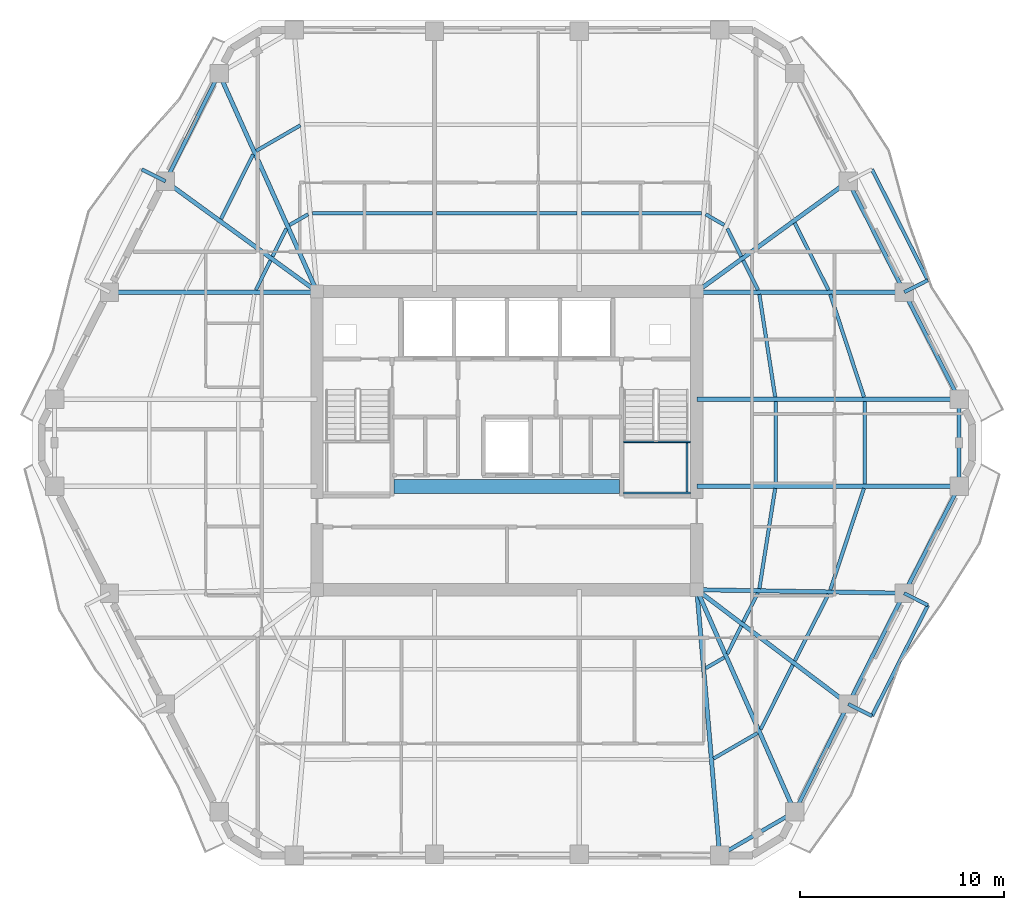
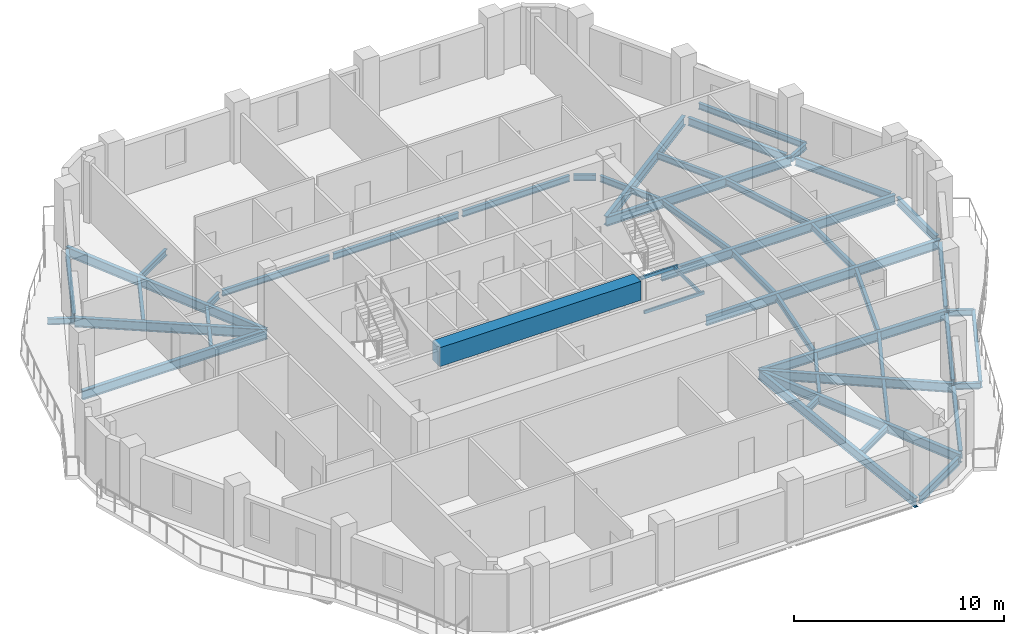
# One storey, part 2 of 12: 53 beams.
"""IFC4 building model written with IfcOpenShell, lengths in metres."""

from ifc_helpers import new_model, si_unit, direction, frame, origin, origin_2d, place, context, subcontext, project, spatial, rectangle, hollow_rectangle, i_section, extrude, material, material_profile, profile_set, type_object, element, save


model = new_model("IFC4")

# Units and contexts
model_context = context("Model", 3, precision=1e-05, world=origin(), true_north=direction((0.0, 1.0)))
body_context = subcontext(model_context, "Body", "Model", "MODEL_VIEW")
ifc_project = project(units=[si_unit("LENGTHUNIT", "METRE"), si_unit("AREAUNIT", "SQUARE_METRE"), si_unit("VOLUMEUNIT", "CUBIC_METRE"), si_unit("PLANEANGLEUNIT", "RADIAN"), si_unit("MASSUNIT", "GRAM", prefix="KILO")], contexts=[model_context])

# Site, building, storey
site_placement = place(None, origin())
site = spatial("IfcSite", under=ifc_project, at=site_placement, CompositionType="ELEMENT")
building_placement = place(site_placement, origin())
building = spatial("IfcBuilding", under=site, at=building_placement, Name="Cinnabar Lancet Tower", CompositionType="ELEMENT")
storey_placement = place(building_placement, frame((0.0, 0.0, 193.199951171875)))
storey = spatial("IfcBuildingStorey", under=building, at=storey_placement, Name="L51", CompositionType="ELEMENT", Elevation=193.199951171875)

# Beams
ifc_material_1 = material(Name="Concrete C70/85", Category="concrete")
ifc_material_profile_1 = material_profile(ifc_material_1, rectangle(XDim=0.699951171875, YDim=1.10009765625, at=origin_2d()), Name="RC-CB 700x1100")
ifc_profile_set_1 = profile_set([ifc_material_profile_1], Name="Concrete C70/85")
beam_type_1 = type_object("IfcBeamType", Name="STR-BM-CB-1100", PredefinedType="BEAM", material=ifc_profile_set_1)
beam_1_placement = place(storey_placement, frame((26.8798828125, 23.64990234375, 2.800048828125), z_axis=(1.0, 0.0, 0.0), x_axis=(0.0, 1.0, 0.0)))
element("IfcBeam", 1, at=beam_1_placement, inside=storey, type_object=beam_type_1, Name="L51 Core Coupling Beam", PredefinedType="BEAM", context=body_context, shape_type="SweptSolid", body=[
    extrude(rectangle(XDim=0.699951171875, YDim=1.10009765625, at=origin_2d()), origin(), (0.0, 0.0, 1.0), 11.0400390625),
])
ifc_material_2 = material(Name="Structural steel S355", Category="steel")
ifc_material_profile_2 = material_profile(ifc_material_2, i_section(OverallWidth=0.17138671875, OverallDepth=0.35498046875, WebThickness=0.00732421875, FlangeThickness=0.011474609375, FilletRadius=0.01025390625, at=origin_2d()), Name="UKB 356x171x51")
ifc_profile_set_2 = profile_set([ifc_material_profile_2], Name="Structural steel S355")
beam_type_2 = type_object("IfcBeamType", Name="STR-BM-JST-356", PredefinedType="JOIST", material=ifc_profile_set_2)
beam_2_placement = place(storey_placement, frame((42.51708984375, 10.3310546875, -0.3779296875), z_axis=(0.865267839663, 0.501309849937, 0.0), x_axis=(-0.501309849937, 0.865267839663, 0.0)))
element("IfcBeam", 2, at=beam_2_placement, inside=storey, type_object=beam_type_2, Name="L51 Secondary Floor Joist 15", PredefinedType="JOIST", context=body_context, shape_type="SweptSolid", body=[
    extrude(i_section(OverallWidth=0.17138671875, OverallDepth=0.35498046875, WebThickness=0.00732421875, FlangeThickness=0.011474609375, FilletRadius=0.01025390625, at=origin_2d()), origin(), (0.0, 0.0, 1.0), 2.497314453125),
])
beam_3_placement = place(storey_placement, frame((42.135986328125, 14.7548828125, -0.3779296875), z_axis=(0.8651881055, 0.501447446998, 0.0), x_axis=(-0.501447446998, 0.8651881055, 0.0)))
element("IfcBeam", 3, at=beam_3_placement, inside=storey, type_object=beam_type_2, Name="L51 Secondary Floor Joist 16", PredefinedType="JOIST", context=body_context, shape_type="SweptSolid", body=[
    extrude(i_section(OverallWidth=0.17138671875, OverallDepth=0.35498046875, WebThickness=0.00732421875, FlangeThickness=0.011474609375, FilletRadius=0.01025390625, at=origin_2d()), origin(), (0.0, 0.0, 1.0), 1.05322265625),
])
beam_4_placement = place(storey_placement, frame((44.8291015625, 11.758056640625, -0.3779296875), z_axis=(0.445027906173, 0.895516701534, 0.0), x_axis=(-0.895516701534, 0.445027906173, 0.0)))
element("IfcBeam", 4, at=beam_4_placement, inside=storey, type_object=beam_type_2, Name="L51 Secondary Floor Joist 17", PredefinedType="JOIST", context=body_context, shape_type="SweptSolid", body=[
    extrude(i_section(OverallWidth=0.17138671875, OverallDepth=0.35498046875, WebThickness=0.00732421875, FlangeThickness=0.011474609375, FilletRadius=0.01025390625, at=origin_2d()), origin(), (0.0, 0.0, 1.0), 3.531982421875),
])
beam_5_placement = place(storey_placement, frame((43.198974609375, 15.45703125, -0.3779296875), z_axis=(0.444589856968, 0.895734256954, 0.0), x_axis=(-0.895734256954, 0.444589856968, 0.0)))
element("IfcBeam", 5, at=beam_5_placement, inside=storey, type_object=beam_type_2, Name="L51 Secondary Floor Joist 18", PredefinedType="JOIST", context=body_context, shape_type="SweptSolid", body=[
    extrude(i_section(OverallWidth=0.17138671875, OverallDepth=0.35498046875, WebThickness=0.00732421875, FlangeThickness=0.011474609375, FilletRadius=0.01025390625, at=origin_2d()), origin(), (0.0, 0.0, 1.0), 1.527099609375),
])
beam_6_placement = place(storey_placement, frame((46.49609375, 15.112060546875, -0.3779296875), z_axis=(0.450564728728, 0.892743762357, 0.0), x_axis=(-0.892743762357, 0.450564728728, 0.0)))
element("IfcBeam", 6, at=beam_6_placement, inside=storey, type_object=beam_type_2, Name="L51 Secondary Floor Joist 19", PredefinedType="JOIST", context=body_context, shape_type="SweptSolid", body=[
    extrude(i_section(OverallWidth=0.17138671875, OverallDepth=0.35498046875, WebThickness=0.00732421875, FlangeThickness=0.011474609375, FilletRadius=0.01025390625, at=origin_2d()), origin(), (0.0, 0.0, 1.0), 3.66845703125),
])
beam_7_placement = place(storey_placement, frame((43.97412109375, 17.014892578125, -0.3779296875), z_axis=(0.450137936259, 0.892959035085, 0.0), x_axis=(-0.892959035085, 0.450137936259, 0.0)))
element("IfcBeam", 7, at=beam_7_placement, inside=storey, type_object=beam_type_2, Name="L51 Secondary Floor Joist 20", PredefinedType="JOIST", context=body_context, shape_type="SweptSolid", body=[
    extrude(i_section(OverallWidth=0.17138671875, OverallDepth=0.35498046875, WebThickness=0.00732421875, FlangeThickness=0.011474609375, FilletRadius=0.01025390625, at=origin_2d()), origin(), (0.0, 0.0, 1.0), 1.6015625),
])
beam_8_placement = place(storey_placement, frame((48.236083984375, 18.594970703125, -0.3779296875), z_axis=(0.315346227037, 0.948976689436, 0.0), x_axis=(-0.948976689436, 0.315346227037, 0.0)))
element("IfcBeam", 8, at=beam_8_placement, inside=storey, type_object=beam_type_2, Name="L51 Secondary Floor Joist 21", PredefinedType="JOIST", context=body_context, shape_type="SweptSolid", body=[
    extrude(i_section(OverallWidth=0.17138671875, OverallDepth=0.35498046875, WebThickness=0.00732421875, FlangeThickness=0.011474609375, FilletRadius=0.01025390625, at=origin_2d()), origin(), (0.0, 0.0, 1.0), 5.235107421875),
])
beam_9_placement = place(storey_placement, frame((44.763916015625, 18.653076171875, -0.3779296875), z_axis=(0.155750702097, 0.987796395416, 0.0), x_axis=(-0.987796395416, 0.155750702097, 0.0)))
element("IfcBeam", 9, at=beam_9_placement, inside=storey, type_object=beam_type_2, Name="L51 Secondary Floor Joist 22", PredefinedType="JOIST", context=body_context, shape_type="SweptSolid", body=[
    extrude(i_section(OverallWidth=0.17138671875, OverallDepth=0.35498046875, WebThickness=0.00732421875, FlangeThickness=0.011474609375, FilletRadius=0.01025390625, at=origin_2d()), origin(), (0.0, 0.0, 1.0), 4.970458984375),
])
for number, where, z_axis, x_axis, name in (
    (10, (49.922119140625, 23.77294921875, -0.3779296875), (0.0, 1.0, 0.0), (-1.0, 0.0, 0.0), "L51 Secondary Floor Joist 23"),
    (11, (45.553955078125, 23.77294921875, -0.3779296875), (0.0, 1.0, 0.0), (-1.0, 0.0, 0.0), "L51 Secondary Floor Joist 24"),
):
    element("IfcBeam", number, at=place(storey_placement, frame(where, z_axis=z_axis, x_axis=x_axis)), inside=storey, type_object=beam_type_2, Name=name, PredefinedType="JOIST", context=body_context, shape_type="SweptSolid", body=[
        extrude(i_section(OverallWidth=0.17138671875, OverallDepth=0.35498046875, WebThickness=0.00732421875, FlangeThickness=0.011474609375, FilletRadius=0.01025390625, at=origin_2d()), origin(), (0.0, 0.0, 1.0), 4.053955078125),
    ])
beam_10_placement = place(storey_placement, frame((49.887939453125, 28.037109375, -0.3779296875), z_axis=(-0.312240109925, 0.95000321776, 0.0), x_axis=(-0.95000321776, -0.312240109925, 0.0)))
element("IfcBeam", 12, at=beam_10_placement, inside=storey, type_object=beam_type_2, Name="L51 Secondary Floor Joist 25", PredefinedType="JOIST", context=body_context, shape_type="SweptSolid", body=[
    extrude(i_section(OverallWidth=0.17138671875, OverallDepth=0.35498046875, WebThickness=0.00732421875, FlangeThickness=0.011474609375, FilletRadius=0.01025390625, at=origin_2d()), origin(), (0.0, 0.0, 1.0), 5.29345703125),
])
beam_11_placement = place(storey_placement, frame((45.5380859375, 28.037109375, -0.3779296875), z_axis=(-0.152154536592, 0.98835671546, 0.0), x_axis=(-0.98835671546, -0.152154536592, 0.0)))
element("IfcBeam", 13, at=beam_11_placement, inside=storey, type_object=beam_type_2, Name="L51 Secondary Floor Joist 26", PredefinedType="JOIST", context=body_context, shape_type="SweptSolid", body=[
    extrude(i_section(OverallWidth=0.17138671875, OverallDepth=0.35498046875, WebThickness=0.00732421875, FlangeThickness=0.011474609375, FilletRadius=0.01025390625, at=origin_2d()), origin(), (0.0, 0.0, 1.0), 5.088134765625),
])
beam_12_placement = place(storey_placement, frame((48.14794921875, 33.27587890625, -0.3779296875), z_axis=(-0.449230875134, 0.893415704376, 0.0), x_axis=(-0.893415704376, -0.449230875134, 0.0)))
element("IfcBeam", 14, at=beam_12_placement, inside=storey, type_object=beam_type_2, Name="L51 Secondary Floor Joist 27", PredefinedType="JOIST", context=body_context, shape_type="SweptSolid", body=[
    extrude(i_section(OverallWidth=0.17138671875, OverallDepth=0.35498046875, WebThickness=0.00732421875, FlangeThickness=0.011474609375, FilletRadius=0.01025390625, at=origin_2d()), origin(), (0.0, 0.0, 1.0), 3.677001953125),
])
beam_13_placement = place(storey_placement, frame((44.695068359375, 33.27587890625, -0.3779296875), z_axis=(-0.446006949597, 0.89502949723, 0.0), x_axis=(-0.89502949723, -0.446006949597, 0.0)))
element("IfcBeam", 15, at=beam_13_placement, inside=storey, type_object=beam_type_2, Name="L51 Secondary Floor Joist 28", PredefinedType="JOIST", context=body_context, shape_type="SweptSolid", body=[
    extrude(i_section(OverallWidth=0.17138671875, OverallDepth=0.35498046875, WebThickness=0.00732421875, FlangeThickness=0.011474609375, FilletRadius=0.01025390625, at=origin_2d()), origin(), (0.0, 0.0, 1.0), 1.619140625),
])
beam_14_placement = place(storey_placement, frame((43.8779296875, 34.9150390625, -0.3779296875), z_axis=(-0.444589856968, 0.895734256954, 0.0), x_axis=(-0.895734256954, -0.444589856968, 0.0)))
element("IfcBeam", 16, at=beam_14_placement, inside=storey, type_object=beam_type_2, Name="L51 Secondary Floor Joist 30", PredefinedType="JOIST", context=body_context, shape_type="SweptSolid", body=[
    extrude(i_section(OverallWidth=0.17138671875, OverallDepth=0.35498046875, WebThickness=0.00732421875, FlangeThickness=0.011474609375, FilletRadius=0.01025390625, at=origin_2d()), origin(), (0.0, 0.0, 1.0), 1.527099609375),
])
beam_15_placement = place(storey_placement, frame((43.047119140625, 36.45703125, -0.3779296875), z_axis=(-0.8651881055, 0.501447446998, 0.0), x_axis=(-0.501447446998, -0.8651881055, 0.0)))
element("IfcBeam", 17, at=beam_15_placement, inside=storey, type_object=beam_type_2, Name="L51 Secondary Floor Joist 32", PredefinedType="JOIST", context=body_context, shape_type="SweptSolid", body=[
    extrude(i_section(OverallWidth=0.17138671875, OverallDepth=0.35498046875, WebThickness=0.00732421875, FlangeThickness=0.011474609375, FilletRadius=0.01025390625, at=origin_2d()), origin(), (0.0, 0.0, 1.0), 1.05322265625),
])
beam_16_placement = place(storey_placement, frame((41.930908203125, 37.04296875, -0.3779296875), z_axis=(-0.999996795667, -0.002531532393, 0.0), x_axis=(0.002531532393, -0.999996795667, 0.0)))
element("IfcBeam", 18, at=beam_16_placement, inside=storey, type_object=beam_type_2, Name="L51 Secondary Floor Joist 34", PredefinedType="JOIST", context=body_context, shape_type="SweptSolid", body=[
    extrude(i_section(OverallWidth=0.17138671875, OverallDepth=0.35498046875, WebThickness=0.00732421875, FlangeThickness=0.011474609375, FilletRadius=0.01025390625, at=origin_2d()), origin(), (0.0, 0.0, 1.0), 5.8828125),
])
beam_17_placement = place(storey_placement, frame((35.837890625, 37.027099609375, -0.3779296875), z_axis=(-1.0, 0.0, 0.0), x_axis=(0.0, -1.0, 0.0)))
element("IfcBeam", 19, at=beam_17_placement, inside=storey, type_object=beam_type_2, Name="L51 Secondary Floor Joist 36", PredefinedType="JOIST", context=body_context, shape_type="SweptSolid", body=[
    extrude(i_section(OverallWidth=0.17138671875, OverallDepth=0.35498046875, WebThickness=0.00732421875, FlangeThickness=0.011474609375, FilletRadius=0.01025390625, at=origin_2d()), origin(), (0.0, 0.0, 1.0), 6.8759765625),
])
beam_18_placement = place(storey_placement, frame((28.751953125, 37.028076171875, -0.3779296875), z_axis=(-0.999996795933, 0.002531427338, 0.0), x_axis=(-0.002531427338, -0.999996795933, 0.0)))
element("IfcBeam", 20, at=beam_18_placement, inside=storey, type_object=beam_type_2, Name="L51 Secondary Floor Joist 38", PredefinedType="JOIST", context=body_context, shape_type="SweptSolid", body=[
    extrude(i_section(OverallWidth=0.17138671875, OverallDepth=0.35498046875, WebThickness=0.00732421875, FlangeThickness=0.011474609375, FilletRadius=0.01025390625, at=origin_2d()), origin(), (0.0, 0.0, 1.0), 5.883056640625),
])
beam_19_placement = place(storey_placement, frame((22.282958984375, 41.341064453125, -0.3779296875), z_axis=(-0.865267839663, -0.501309849937, 0.0), x_axis=(0.501309849937, -0.865267839663, 0.0)))
element("IfcBeam", 21, at=beam_19_placement, inside=storey, type_object=beam_type_2, Name="L51 Secondary Floor Joist 39", PredefinedType="JOIST", context=body_context, shape_type="SweptSolid", body=[
    extrude(i_section(OverallWidth=0.17138671875, OverallDepth=0.35498046875, WebThickness=0.00732421875, FlangeThickness=0.011474609375, FilletRadius=0.01025390625, at=origin_2d()), origin(), (0.0, 0.0, 1.0), 2.497314453125),
])
beam_20_placement = place(storey_placement, frame((22.6640625, 36.985107421875, -0.3779296875), z_axis=(-0.8651881055, -0.501447446998, 0.0), x_axis=(0.501447446998, -0.8651881055, 0.0)))
element("IfcBeam", 22, at=beam_20_placement, inside=storey, type_object=beam_type_2, Name="L51 Secondary Floor Joist 40", PredefinedType="JOIST", context=body_context, shape_type="SweptSolid", body=[
    extrude(i_section(OverallWidth=0.17138671875, OverallDepth=0.35498046875, WebThickness=0.00732421875, FlangeThickness=0.011474609375, FilletRadius=0.01025390625, at=origin_2d()), origin(), (0.0, 0.0, 1.0), 1.05322265625),
])
beam_21_placement = place(storey_placement, frame((19.970947265625, 39.9150390625, -0.3779296875), z_axis=(-0.444835507887, -0.895612288283, 0.0), x_axis=(0.895612288283, -0.444835507887, 0.0)))
element("IfcBeam", 23, at=beam_21_placement, inside=storey, type_object=beam_type_2, Name="L51 Secondary Floor Joist 41", PredefinedType="JOIST", context=body_context, shape_type="SweptSolid", body=[
    extrude(i_section(OverallWidth=0.17138671875, OverallDepth=0.35498046875, WebThickness=0.00732421875, FlangeThickness=0.011474609375, FilletRadius=0.01025390625, at=origin_2d()), origin(), (0.0, 0.0, 1.0), 3.533935546875),
])
beam_22_placement = place(storey_placement, frame((21.60107421875, 36.282958984375, -0.3779296875), z_axis=(-0.444589856968, -0.895734256954, 0.0), x_axis=(0.895734256954, -0.444589856968, 0.0)))
element("IfcBeam", 24, at=beam_22_placement, inside=storey, type_object=beam_type_2, Name="L51 Secondary Floor Joist 42", PredefinedType="JOIST", context=body_context, shape_type="SweptSolid", body=[
    extrude(i_section(OverallWidth=0.17138671875, OverallDepth=0.35498046875, WebThickness=0.00732421875, FlangeThickness=0.011474609375, FilletRadius=0.01025390625, at=origin_2d()), origin(), (0.0, 0.0, 1.0), 1.527099609375),
])
beam_23_placement = place(storey_placement, frame((20.826904296875, 34.72509765625, -0.3779296875), z_axis=(-0.44588615098, -0.895089682861, 0.0), x_axis=(0.895089682861, -0.44588615098, 0.0)))
element("IfcBeam", 25, at=beam_23_placement, inside=storey, type_object=beam_type_2, Name="L51 Secondary Floor Joist 44", PredefinedType="JOIST", context=body_context, shape_type="SweptSolid", body=[
    extrude(i_section(OverallWidth=0.17138671875, OverallDepth=0.35498046875, WebThickness=0.00732421875, FlangeThickness=0.011474609375, FilletRadius=0.01025390625, at=origin_2d()), origin(), (0.0, 0.0, 1.0), 1.619140625),
])
ifc_material_3 = material(Name="Structural steel S355", Category="steel")
ifc_material_profile_3 = material_profile(ifc_material_3, hollow_rectangle(XDim=0.10009765625, YDim=0.199951171875, WallThickness=0.008056640625, InnerFilletRadius=0.00390625, OuterFilletRadius=0.011962890625, at=origin_2d()), Name="RHS 200x100x8")
ifc_profile_set_3 = profile_set([ifc_material_profile_3], Name="Structural steel S355")
beam_type_3 = type_object("IfcBeamType", Name="STR-BM-LND-203", PredefinedType="BEAM", material=ifc_profile_set_3)
for number, where, z_axis, x_axis, name in (
    (26, (38.1201171875, 23.330078125, 1.47509765625), (1.0, 0.0, 0.0), (0.0, 1.0, 0.0), "L51 ST-2-L51 Landing Support Beam S"),
    (27, (38.1201171875, 25.844970703125, 1.47509765625), (1.0, 0.0, 0.0), (0.0, 1.0, 0.0), "L51 ST-2-L51 Landing Support Beam N"),
):
    element("IfcBeam", number, at=place(storey_placement, frame(where, z_axis=z_axis, x_axis=x_axis)), inside=storey, type_object=beam_type_3, Name=name, PredefinedType="BEAM", context=body_context, shape_type="SweptSolid", body=[
        extrude(hollow_rectangle(XDim=0.10009765625, YDim=0.199951171875, WallThickness=0.008056640625, InnerFilletRadius=0.00390625, OuterFilletRadius=0.011962890625, at=origin_2d()), origin(), (0.0, 0.0, 1.0), 3.27978515625),
    ])
beam_24_placement = place(storey_placement, frame((41.219970703125, 23.3798828125, 1.47509765625), z_axis=(0.0, 1.0, 0.0), x_axis=(-1.0, 0.0, 0.0)))
element("IfcBeam", 28, at=beam_24_placement, inside=storey, type_object=beam_type_3, Name="L51 ST-2-L51 Landing Side Trimmer Beam", PredefinedType="BEAM", context=body_context, shape_type="SweptSolid", body=[
    extrude(hollow_rectangle(XDim=0.10009765625, YDim=0.199951171875, WallThickness=0.008056640625, InnerFilletRadius=0.00390625, OuterFilletRadius=0.011962890625, at=origin_2d()), origin(), (0.0, 0.0, 1.0), 2.4150390625),
])
ifc_material_4 = material(Name="Structural steel S355", Category="steel")
ifc_material_profile_4 = material_profile(ifc_material_4, i_section(OverallWidth=0.1904296875, OverallDepth=0.45703125, WebThickness=0.009033203125, FlangeThickness=0.014404296875, FilletRadius=0.01025390625, at=origin_2d()), Name="UKB 457x191x74")
ifc_profile_set_4 = profile_set([ifc_material_profile_4], Name="Structural steel S355")
beam_type_4 = type_object("IfcBeamType", Name="STR-BM-SPN-457", PredefinedType="SPANDREL", material=ifc_profile_set_4)
beam_25_placement = place(storey_placement, frame((43.037109375, 5.714111328125, -0.427978515625), z_axis=(0.865195717586, 0.501434313016, 0.0), x_axis=(-0.501434313016, 0.865195717586, 0.0)))
element("IfcBeam", 29, at=beam_25_placement, inside=storey, type_object=beam_type_4, Name="L51 Perimeter Spandrel 4", PredefinedType="SPANDREL", context=body_context, shape_type="SweptSolid", body=[
    extrude(i_section(OverallWidth=0.1904296875, OverallDepth=0.45703125, WebThickness=0.009033203125, FlangeThickness=0.014404296875, FilletRadius=0.01025390625, at=origin_2d()), origin(), (0.0, 0.0, 1.0), 3.7470703125),
])
beam_26_placement = place(storey_placement, frame((46.60595703125, 7.94189453125, -0.427978515625), z_axis=(0.444914968367, 0.895572817208, 0.0), x_axis=(-0.895572817208, 0.444914968367, 0.0)))
element("IfcBeam", 30, at=beam_26_placement, inside=storey, type_object=beam_type_4, Name="L51 Perimeter Spandrel 5", PredefinedType="SPANDREL", context=body_context, shape_type="SweptSolid", body=[
    extrude(i_section(OverallWidth=0.1904296875, OverallDepth=0.45703125, WebThickness=0.009033203125, FlangeThickness=0.014404296875, FilletRadius=0.01025390625, at=origin_2d()), origin(), (0.0, 0.0, 1.0), 5.39892578125),
])
beam_27_placement = place(storey_placement, frame((49.23193359375, 13.22412109375, -0.427978515625), z_axis=(0.450395996562, 0.892828900899, 0.0), x_axis=(-0.892828900899, 0.450395996562, 0.0)))
element("IfcBeam", 31, at=beam_27_placement, inside=storey, type_object=beam_type_4, Name="L51 Perimeter Spandrel 6", PredefinedType="SPANDREL", context=body_context, shape_type="SweptSolid", body=[
    extrude(i_section(OverallWidth=0.1904296875, OverallDepth=0.45703125, WebThickness=0.009033203125, FlangeThickness=0.014404296875, FilletRadius=0.01025390625, at=origin_2d()), origin(), (0.0, 0.0, 1.0), 5.579833984375),
])
beam_28_placement = place(storey_placement, frame((51.971923828125, 18.65087890625, -0.427978515625), z_axis=(0.456628362232, 0.889657540184, 0.0), x_axis=(-0.889657540184, 0.456628362232, 0.0)))
element("IfcBeam", 32, at=beam_28_placement, inside=storey, type_object=beam_type_4, Name="L51 Perimeter Spandrel 7", PredefinedType="SPANDREL", context=body_context, shape_type="SweptSolid", body=[
    extrude(i_section(OverallWidth=0.1904296875, OverallDepth=0.45703125, WebThickness=0.009033203125, FlangeThickness=0.014404296875, FilletRadius=0.01025390625, at=origin_2d()), origin(), (0.0, 0.0, 1.0), 5.389892578125),
])
beam_29_placement = place(storey_placement, frame((54.547119140625, 23.91796875, -0.427978515625), z_axis=(0.0, 1.0, 0.0), x_axis=(-1.0, 0.0, 0.0)))
element("IfcBeam", 33, at=beam_29_placement, inside=storey, type_object=beam_type_4, Name="L51 Perimeter Spandrel 8", PredefinedType="SPANDREL", context=body_context, shape_type="SweptSolid", body=[
    extrude(i_section(OverallWidth=0.1904296875, OverallDepth=0.45703125, WebThickness=0.009033203125, FlangeThickness=0.014404296875, FilletRadius=0.01025390625, at=origin_2d()), origin(), (0.0, 0.0, 1.0), 3.763916015625),
])
beam_30_placement = place(storey_placement, frame((54.43310546875, 28.154052734375, -0.427978515625), z_axis=(-0.456646764028, 0.889648094981, 0.0), x_axis=(-0.889648094981, -0.456646764028, 0.0)))
element("IfcBeam", 34, at=beam_30_placement, inside=storey, type_object=beam_type_4, Name="L51 Perimeter Spandrel 9", PredefinedType="SPANDREL", context=body_context, shape_type="SweptSolid", body=[
    extrude(i_section(OverallWidth=0.1904296875, OverallDepth=0.45703125, WebThickness=0.009033203125, FlangeThickness=0.014404296875, FilletRadius=0.01025390625, at=origin_2d()), origin(), (0.0, 0.0, 1.0), 5.3896484375),
])
beam_31_placement = place(storey_placement, frame((51.7451171875, 33.39404296875, -0.427978515625), z_axis=(-0.450395996562, 0.892828900899, 0.0), x_axis=(-0.892828900899, -0.450395996562, 0.0)))
element("IfcBeam", 35, at=beam_31_placement, inside=storey, type_object=beam_type_4, Name="L51 Perimeter Spandrel 10", PredefinedType="SPANDREL", context=body_context, shape_type="SweptSolid", body=[
    extrude(i_section(OverallWidth=0.1904296875, OverallDepth=0.45703125, WebThickness=0.009033203125, FlangeThickness=0.014404296875, FilletRadius=0.01025390625, at=origin_2d()), origin(), (0.0, 0.0, 1.0), 5.579833984375),
])
beam_32_placement = place(storey_placement, frame((18.194091796875, 43.657958984375, -0.427978515625), z_axis=(-0.444932986899, -0.895563865489, 0.0), x_axis=(0.895563865489, -0.444932986899, 0.0)))
element("IfcBeam", 36, at=beam_32_placement, inside=storey, type_object=beam_type_4, Name="L51 Perimeter Spandrel 17", PredefinedType="SPANDREL", context=body_context, shape_type="SweptSolid", body=[
    extrude(i_section(OverallWidth=0.1904296875, OverallDepth=0.45703125, WebThickness=0.009033203125, FlangeThickness=0.014404296875, FilletRadius=0.01025390625, at=origin_2d()), origin(), (0.0, 0.0, 1.0), 5.398681640625),
])
ifc_material_5 = material(Name="Structural steel S355", Category="steel")
ifc_material_profile_5 = material_profile(ifc_material_5, i_section(OverallWidth=0.209228515625, OverallDepth=0.533203125, WebThickness=0.010009765625, FlangeThickness=0.015625, FilletRadius=0.0126953125, at=origin_2d()), Name="UKB 533x210x92")
ifc_profile_set_5 = profile_set([ifc_material_profile_5], Name="Structural steel S355")
beam_type_5 = type_object("IfcBeamType", Name="STR-BM-UKB533-92", PredefinedType="BEAM", material=ifc_profile_set_5)
beam_33_placement = place(storey_placement, frame((49.118896484375, 13.0009765625, -0.467041015625), z_axis=(-0.798193439732, 0.602401222417, 0.0), x_axis=(-0.602401222417, -0.798193439732, 0.0)))
element("IfcBeam", 37, at=beam_33_placement, inside=storey, type_object=beam_type_5, Name="L51 Corner Collector Girder 2", PredefinedType="BEAM", context=body_context, shape_type="SweptSolid", body=[
    extrude(i_section(OverallWidth=0.209228515625, OverallDepth=0.533203125, WebThickness=0.010009765625, FlangeThickness=0.015625, FilletRadius=0.0126953125, at=origin_2d()), origin(), (0.0, 0.0, 1.0), 9.294677734375),
])
beam_34_placement = place(storey_placement, frame((49.118896484375, 38.59912109375, -0.467041015625), z_axis=(-0.808550797984, -0.588426382039, 0.0), x_axis=(0.588426382039, -0.808550797984, 0.0)))
element("IfcBeam", 38, at=beam_34_placement, inside=storey, type_object=beam_type_5, Name="L51 Corner Collector Girder 3", PredefinedType="BEAM", context=body_context, shape_type="SweptSolid", body=[
    extrude(i_section(OverallWidth=0.209228515625, OverallDepth=0.533203125, WebThickness=0.010009765625, FlangeThickness=0.015625, FilletRadius=0.0126953125, at=origin_2d()), origin(), (0.0, 0.0, 1.0), 9.175537109375),
])
beam_35_placement = place(storey_placement, frame((15.680908203125, 38.59912109375, -0.467041015625), z_axis=(0.80856001044, -0.588413723087, 0.0), x_axis=(0.588413723087, 0.80856001044, 0.0)))
element("IfcBeam", 39, at=beam_35_placement, inside=storey, type_object=beam_type_5, Name="L51 Corner Collector Girder 4", PredefinedType="BEAM", context=body_context, shape_type="SweptSolid", body=[
    extrude(i_section(OverallWidth=0.209228515625, OverallDepth=0.533203125, WebThickness=0.010009765625, FlangeThickness=0.015625, FilletRadius=0.0126953125, at=origin_2d()), origin(), (0.0, 0.0, 1.0), 9.17578125),
])
beam_36_placement = place(storey_placement, frame((42.821044921875, 5.589111328125, -0.467041015625), z_axis=(-0.085847068729, 0.996308326167, 0.0), x_axis=(-0.996308326167, -0.085847068729, 0.0)))
element("IfcBeam", 40, at=beam_36_placement, inside=storey, type_object=beam_type_5, Name="L51 Primary Floor Girder 4", PredefinedType="BEAM", context=body_context, shape_type="SweptSolid", body=[
    extrude(i_section(OverallWidth=0.209228515625, OverallDepth=0.533203125, WebThickness=0.010009765625, FlangeThickness=0.015625, FilletRadius=0.0126953125, at=origin_2d()), origin(), (0.0, 0.0, 1.0), 13.05908203125),
])
beam_37_placement = place(storey_placement, frame((46.4951171875, 7.718017578125, -0.467041015625), z_axis=(-0.403235299754, 0.915096329919, 0.0), x_axis=(-0.915096329919, -0.403235299754, 0.0)))
element("IfcBeam", 41, at=beam_37_placement, inside=storey, type_object=beam_type_5, Name="L51 Primary Floor Girder 5", PredefinedType="BEAM", context=body_context, shape_type="SweptSolid", body=[
    extrude(i_section(OverallWidth=0.209228515625, OverallDepth=0.533203125, WebThickness=0.010009765625, FlangeThickness=0.015625, FilletRadius=0.0126953125, at=origin_2d()), origin(), (0.0, 0.0, 1.0), 11.891845703125),
])
beam_38_placement = place(storey_placement, frame((51.85791015625, 18.428955078125, -0.467041015625), z_axis=(-0.999858100525, 0.016845735777, 0.0), x_axis=(-0.016845735777, -0.999858100525, 0.0)))
element("IfcBeam", 42, at=beam_38_placement, inside=storey, type_object=beam_type_5, Name="L51 Primary Floor Girder 7", PredefinedType="BEAM", context=body_context, shape_type="SweptSolid", body=[
    extrude(i_section(OverallWidth=0.209228515625, OverallDepth=0.533203125, WebThickness=0.010009765625, FlangeThickness=0.015625, FilletRadius=0.0126953125, at=origin_2d()), origin(), (0.0, 0.0, 1.0), 10.159423828125),
])
for number, where, z_axis, x_axis, name in (
    (43, (54.547119140625, 23.66796875, -0.467041015625), (-1.0, 0.0, 0.0), (0.0, -1.0, 0.0), "L51 Primary Floor Girder 8"),
    (44, (54.547119140625, 27.931884765625, -0.467041015625), (-1.0, 0.0, 0.0), (0.0, -1.0, 0.0), "L51 Primary Floor Girder 9"),
):
    element("IfcBeam", number, at=place(storey_placement, frame(where, z_axis=z_axis, x_axis=x_axis)), inside=storey, type_object=beam_type_5, Name=name, PredefinedType="BEAM", context=body_context, shape_type="SweptSolid", body=[
        extrude(i_section(OverallWidth=0.209228515625, OverallDepth=0.533203125, WebThickness=0.010009765625, FlangeThickness=0.015625, FilletRadius=0.0126953125, at=origin_2d()), origin(), (0.0, 0.0, 1.0), 12.84716796875),
    ])
beam_39_placement = place(storey_placement, frame((51.85791015625, 33.1708984375, -0.467041015625), z_axis=(-1.0, 0.0, 0.0), x_axis=(0.0, -1.0, 0.0)))
element("IfcBeam", 45, at=beam_39_placement, inside=storey, type_object=beam_type_5, Name="L51 Primary Floor Girder 10", PredefinedType="BEAM", context=body_context, shape_type="SweptSolid", body=[
    extrude(i_section(OverallWidth=0.209228515625, OverallDepth=0.533203125, WebThickness=0.010009765625, FlangeThickness=0.015625, FilletRadius=0.0126953125, at=origin_2d()), origin(), (0.0, 0.0, 1.0), 10.157958984375),
])
beam_40_placement = place(storey_placement, frame((18.304931640625, 43.882080078125, -0.467041015625), z_axis=(0.409527011626, -0.912297992297, 0.0), x_axis=(0.912297992297, 0.409527011626, 0.0)))
element("IfcBeam", 46, at=beam_40_placement, inside=storey, type_object=beam_type_5, Name="L51 Primary Floor Girder 17", PredefinedType="BEAM", context=body_context, shape_type="SweptSolid", body=[
    extrude(i_section(OverallWidth=0.209228515625, OverallDepth=0.533203125, WebThickness=0.010009765625, FlangeThickness=0.015625, FilletRadius=0.0126953125, at=origin_2d()), origin(), (0.0, 0.0, 1.0), 11.708984375),
])
beam_41_placement = place(storey_placement, frame((12.94189453125, 33.1708984375, -0.467041015625), z_axis=(1.0, 0.0, 0.0), x_axis=(0.0, 1.0, 0.0)))
element("IfcBeam", 47, at=beam_41_placement, inside=storey, type_object=beam_type_5, Name="L51 Primary Floor Girder 19", PredefinedType="BEAM", context=body_context, shape_type="SweptSolid", body=[
    extrude(i_section(OverallWidth=0.209228515625, OverallDepth=0.533203125, WebThickness=0.010009765625, FlangeThickness=0.015625, FilletRadius=0.0126953125, at=origin_2d()), origin(), (0.0, 0.0, 1.0), 10.158203125),
])
ifc_material_6 = material(Name="Structural steel S355", Category="steel")
ifc_material_profile_6 = material_profile(ifc_material_6, i_section(OverallWidth=0.17138671875, OverallDepth=0.35498046875, WebThickness=0.00732421875, FlangeThickness=0.011474609375, FilletRadius=0.01025390625, at=origin_2d()), Name="UKB 356x171x51")
ifc_profile_set_6 = profile_set([ifc_material_profile_6], Name="Structural steel S355")
beam_type_6 = type_object("IfcBeamType", Name="STR-BM-WAV-OUT", PredefinedType="BEAM", material=ifc_profile_set_6)
for number, where, z_axis, x_axis, name in (
    (48, (49.118896484375, 13.0009765625, -0.39794921875), (0.892314203325, -0.451414845285, 0.0), (0.451414845285, 0.892314203325, 0.0), "L51 Face 2 Balcony Outlooker A"),
    (49, (51.85791015625, 18.428955078125, -0.39794921875), (0.892314203325, -0.451414845285, 0.0), (0.451414845285, 0.892314203325, 0.0), "L51 Face 2 Balcony Outlooker B"),
):
    element("IfcBeam", number, at=place(storey_placement, frame(where, z_axis=z_axis, x_axis=x_axis)), inside=storey, type_object=beam_type_6, Name=name, PredefinedType="BEAM", context=body_context, shape_type="SweptSolid", body=[
        extrude(i_section(OverallWidth=0.17138671875, OverallDepth=0.35498046875, WebThickness=0.00732421875, FlangeThickness=0.011474609375, FilletRadius=0.01025390625, at=origin_2d()), origin(), (0.0, 0.0, 1.0), 1.300048828125),
    ])
beam_42_placement = place(storey_placement, frame((51.85791015625, 33.1708984375, -0.39794921875), z_axis=(0.892238560088, 0.451564338597, 0.0), x_axis=(-0.451564338597, 0.892238560088, 0.0)))
element("IfcBeam", 50, at=beam_42_placement, inside=storey, type_object=beam_type_6, Name="L51 Face 3 Balcony Outlooker A", PredefinedType="BEAM", context=body_context, shape_type="SweptSolid", body=[
    extrude(i_section(OverallWidth=0.17138671875, OverallDepth=0.35498046875, WebThickness=0.00732421875, FlangeThickness=0.011474609375, FilletRadius=0.01025390625, at=origin_2d()), origin(), (0.0, 0.0, 1.0), 1.30029296875),
])
beam_43_placement = place(storey_placement, frame((15.680908203125, 38.59912109375, -0.39794921875), z_axis=(-0.89227592947, 0.451490493464, 0.0), x_axis=(-0.451490493464, -0.89227592947, 0.0)))
element("IfcBeam", 51, at=beam_43_placement, inside=storey, type_object=beam_type_6, Name="L51 Face 5 Balcony Outlooker A", PredefinedType="BEAM", context=body_context, shape_type="SweptSolid", body=[
    extrude(i_section(OverallWidth=0.17138671875, OverallDepth=0.35498046875, WebThickness=0.00732421875, FlangeThickness=0.011474609375, FilletRadius=0.01025390625, at=origin_2d()), origin(), (0.0, 0.0, 1.0), 1.300048828125),
])
ifc_material_7 = material(Name="Structural steel S355", Category="steel")
ifc_material_profile_7 = material_profile(ifc_material_7, i_section(OverallWidth=0.17138671875, OverallDepth=0.35498046875, WebThickness=0.00732421875, FlangeThickness=0.011474609375, FilletRadius=0.01025390625, at=origin_2d()), Name="UKB 356x171x51")
ifc_profile_set_7 = profile_set([ifc_material_profile_7], Name="Structural steel S355")
beam_type_7 = type_object("IfcBeamType", Name="STR-BM-WAV-TRIM", PredefinedType="SPANDREL", material=ifc_profile_set_7)
for number, where, z_axis, x_axis, name in (
    (52, (50.279052734375, 12.4140625, -0.39794921875), (0.450503306898, 0.892774759093, 0.0), (-0.892774759093, 0.450503306898, 0.0), "L51 Face 2 Balcony Edge Trimmer"),
    (53, (53.01806640625, 33.758056640625, -0.39794921875), (-0.450503306898, 0.892774759093, 0.0), (-0.892774759093, -0.450503306898, 0.0), "L51 Face 3 Balcony Edge Trimmer"),
):
    element("IfcBeam", number, at=place(storey_placement, frame(where, z_axis=z_axis, x_axis=x_axis)), inside=storey, type_object=beam_type_7, Name=name, PredefinedType="SPANDREL", context=body_context, shape_type="SweptSolid", body=[
        extrude(i_section(OverallWidth=0.17138671875, OverallDepth=0.35498046875, WebThickness=0.00732421875, FlangeThickness=0.011474609375, FilletRadius=0.01025390625, at=origin_2d()), origin(), (0.0, 0.0, 1.0), 6.079833984375),
    ])

save(model, "model.ifc")
